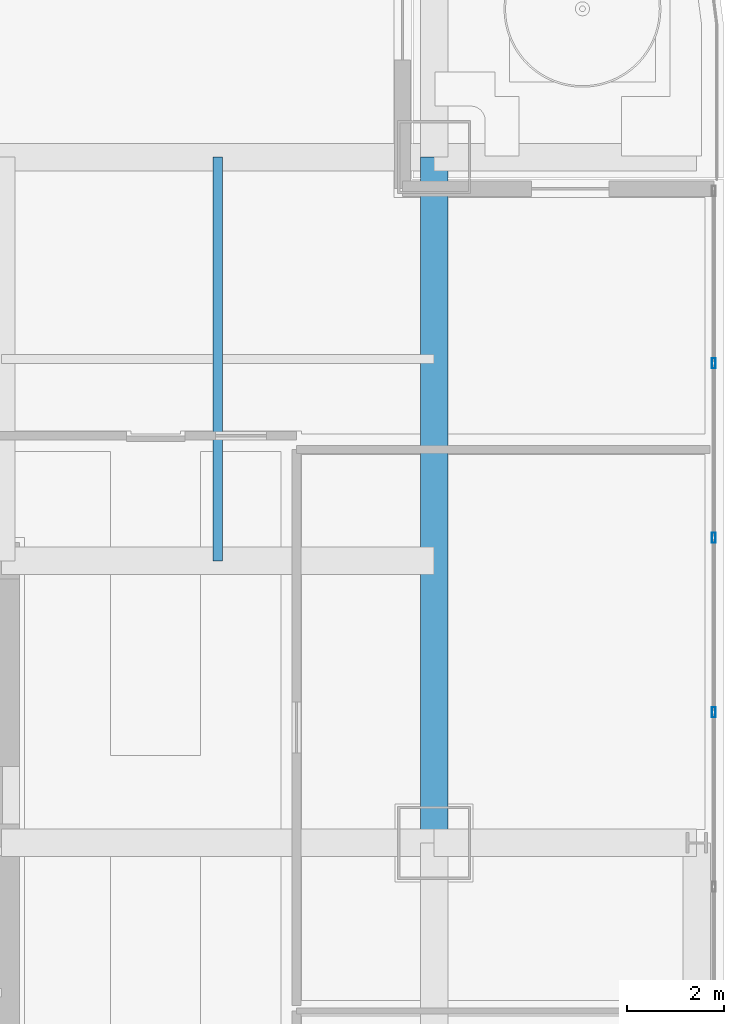
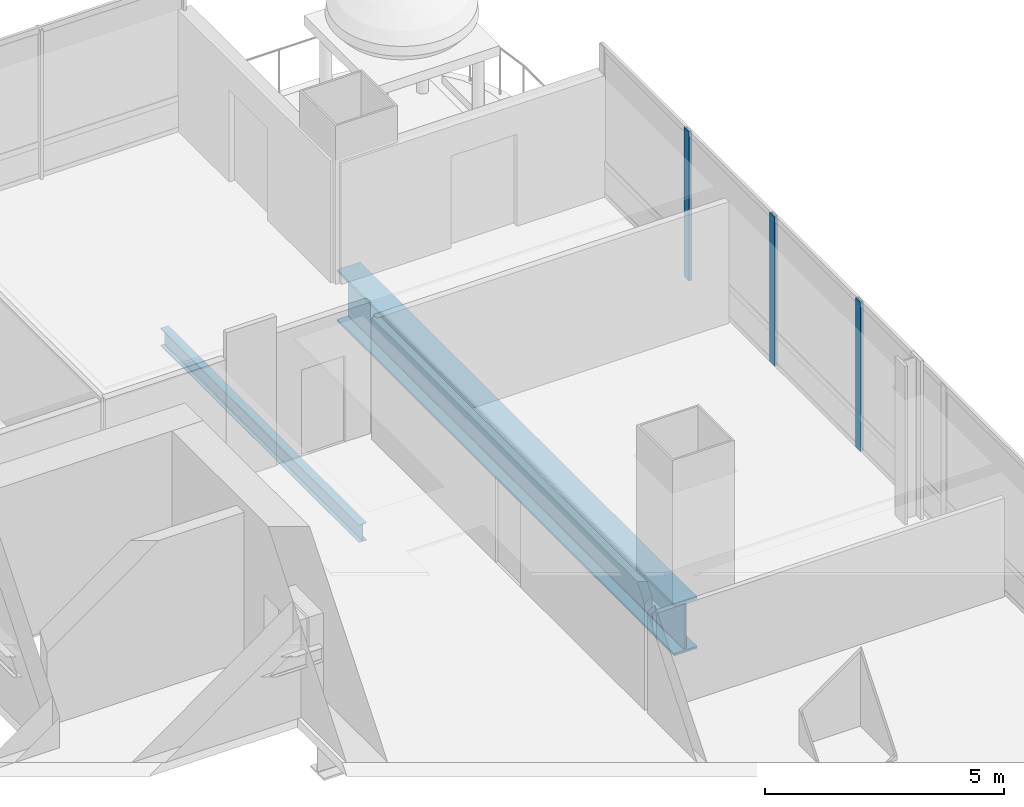
# One storey, part 17 of 37: 3 members, 2 beams, 1 element without a shape of its own.
"""IFC4 building model written with IfcOpenShell, lengths in metres."""

from ifc_helpers import new_model, si_unit, direction, frame, origin, origin_2d, place, context, subcontext, project, spatial, hollow_rectangle, i_section, extrude, material, material_profile, profile_set, type_object, element, aggregate, save


model = new_model("IFC4")

# Units and contexts
model_context = context("Model", 3, precision=1e-05, world=origin(), true_north=direction((0.0, 1.0)))
body_context = subcontext(model_context, "Body", "Model", "MODEL_VIEW")
ifc_project = project(units=[si_unit("LENGTHUNIT", "METRE"), si_unit("AREAUNIT", "SQUARE_METRE"), si_unit("VOLUMEUNIT", "CUBIC_METRE"), si_unit("PLANEANGLEUNIT", "RADIAN"), si_unit("MASSUNIT", "GRAM", prefix="KILO")], contexts=[model_context])

# Site, building, storey
site_placement = place(None, origin())
site = spatial("IfcSite", under=ifc_project, at=site_placement, CompositionType="ELEMENT")
building_placement = place(site_placement, origin())
building = spatial("IfcBuilding", under=site, at=building_placement, Name="Punatoya Terracotta Tower", CompositionType="ELEMENT")
storey_placement = place(building_placement, frame((0.0, 0.0, 109.199951171875)))
storey = spatial("IfcBuildingStorey", under=building, at=storey_placement, Name="L25", CompositionType="ELEMENT", Elevation=109.199951171875)

# Beams
ifc_material_1 = material(Name="Steel S355", Category="steel")
ifc_material_profile_1 = material_profile(ifc_material_1, i_section(OverallWidth=0.18994140625, OverallDepth=0.449951171875, WebThickness=0.009521484375, FlangeThickness=0.0146484375, FilletRadius=0.01806640625, at=origin_2d()))
ifc_profile_set_1 = profile_set([ifc_material_profile_1], Name="Steel S355")
beam_type_1 = type_object("IfcBeamType", Name="BM-SEC-450", PredefinedType="JOIST", material=ifc_profile_set_1)
beam_1_placement = place(storey_placement, frame((14.64990234375, 9.199951171875, -0.46484375), z_axis=(0.0, 1.0, 0.0), x_axis=(-1.0, 0.0, 0.0)))
element("IfcBeam", 1, at=beam_1_placement, inside=storey, type_object=beam_type_1, Name="BM-L25-SJE-2", PredefinedType="JOIST", context=body_context, shape_type="SweptSolid", body=[
    extrude(i_section(OverallWidth=0.18994140625, OverallDepth=0.449951171875, WebThickness=0.009521484375, FlangeThickness=0.0146484375, FilletRadius=0.01806640625, at=origin_2d()), origin(), (0.0, 0.0, 1.0), 8.300048828125),
])
ifc_material_2 = material(Name="Steel S460", Category="steel")
ifc_material_profile_2 = material_profile(ifc_material_2, i_section(OverallWidth=0.56005859375, OverallDepth=1.320068359375, WebThickness=0.035888671875, FlangeThickness=0.054931640625, FilletRadius=0.01806640625, at=origin_2d()))
ifc_profile_set_2 = profile_set([ifc_material_profile_2], Name="Steel S460")
beam_type_2 = type_object("IfcBeamType", Name="BM-TG-BLK", PredefinedType="BEAM", material=ifc_profile_set_2)
beam_2_placement = place(storey_placement, frame((19.10009765625, 3.39990234375, -0.89990234375), z_axis=(0.0, 1.0, 0.0), x_axis=(-1.0, 0.0, 0.0)))
element("IfcBeam", 2, at=beam_2_placement, inside=storey, type_object=beam_type_2, Name="BM-L25-RG-E3", PredefinedType="BEAM", context=body_context, shape_type="SweptSolid", body=[
    extrude(i_section(OverallWidth=0.56005859375, OverallDepth=1.320068359375, WebThickness=0.035888671875, FlangeThickness=0.054931640625, FilletRadius=0.01806640625, at=origin_2d()), origin(), (0.0, 0.0, 1.0), 14.10009765625),
])

# Curtain wall, members
ifc_material_3 = material(Name="Aluminium 6063-T6 + Double Low-E Glass", Category="aluminium")
curtain_wall_type = type_object("IfcCurtainWallType", Name="CW-M1", PredefinedType="NOTDEFINED", material=ifc_material_3)
curtain_wall_placement = place(storey_placement, origin())
curtain_wall = element("IfcCurtainWall", 3, at=curtain_wall_placement, inside=storey, type_object=curtain_wall_type, Name="L25 Curtain Wall CW-L25-E05-1", PredefinedType="NOTDEFINED")
ifc_material_4 = material(Name="Aluminium 6063-T6", Category="aluminium")
ifc_material_profile_3 = material_profile(ifc_material_4, hollow_rectangle(XDim=0.074951171875, YDim=0.2099609375, WallThickness=0.00439453125, at=origin_2d()))
ifc_profile_set_3 = profile_set([ifc_material_profile_3], Name="Aluminium 6063-T6")
member_type = type_object("IfcMemberType", Name="CW-MUL-M1", PredefinedType="MULLION", material=ifc_profile_set_3)
member_1_placement = place(storey_placement, frame((24.85009765625, 6.087646484375, 0.0), z_axis=(0.0, 0.0, 1.0), x_axis=(1.0, 0.0, 0.0)))
member_1 = element("IfcMember", 4, at=member_1_placement, type_object=member_type, Name="CW-L25-E05-1 Mullion 06", PredefinedType="MULLION", context=body_context, shape_type="SweptSolid", body=[
    extrude(hollow_rectangle(XDim=0.074951171875, YDim=0.2099609375, WallThickness=0.00439453125, at=origin_2d()), origin(), (0.0, 0.0, 1.0), 3.81005859375),
])
member_2_placement = place(storey_placement, frame((24.85009765625, 9.675048828125, 0.0), z_axis=(0.0, 0.0, 1.0), x_axis=(1.0, 0.0, 0.0)))
member_2 = element("IfcMember", 5, at=member_2_placement, type_object=member_type, Name="CW-L25-E05-1 Mullion 07", PredefinedType="MULLION", context=body_context, shape_type="SweptSolid", body=[
    extrude(hollow_rectangle(XDim=0.074951171875, YDim=0.2099609375, WallThickness=0.00439453125, at=origin_2d()), origin(), (0.0, 0.0, 1.0), 3.81005859375),
])
member_3_placement = place(storey_placement, frame((24.85009765625, 13.2626953125, 0.0), z_axis=(0.0, 0.0, 1.0), x_axis=(1.0, 0.0, 0.0)))
member_3 = element("IfcMember", 6, at=member_3_placement, type_object=member_type, Name="CW-L25-E05-1 Mullion 08", PredefinedType="MULLION", context=body_context, shape_type="SweptSolid", body=[
    extrude(hollow_rectangle(XDim=0.074951171875, YDim=0.2099609375, WallThickness=0.00439453125, at=origin_2d()), origin(), (0.0, 0.0, 1.0), 3.81005859375),
])
aggregate(curtain_wall, [member_1, member_2, member_3])

save(model, "model.ifc")
